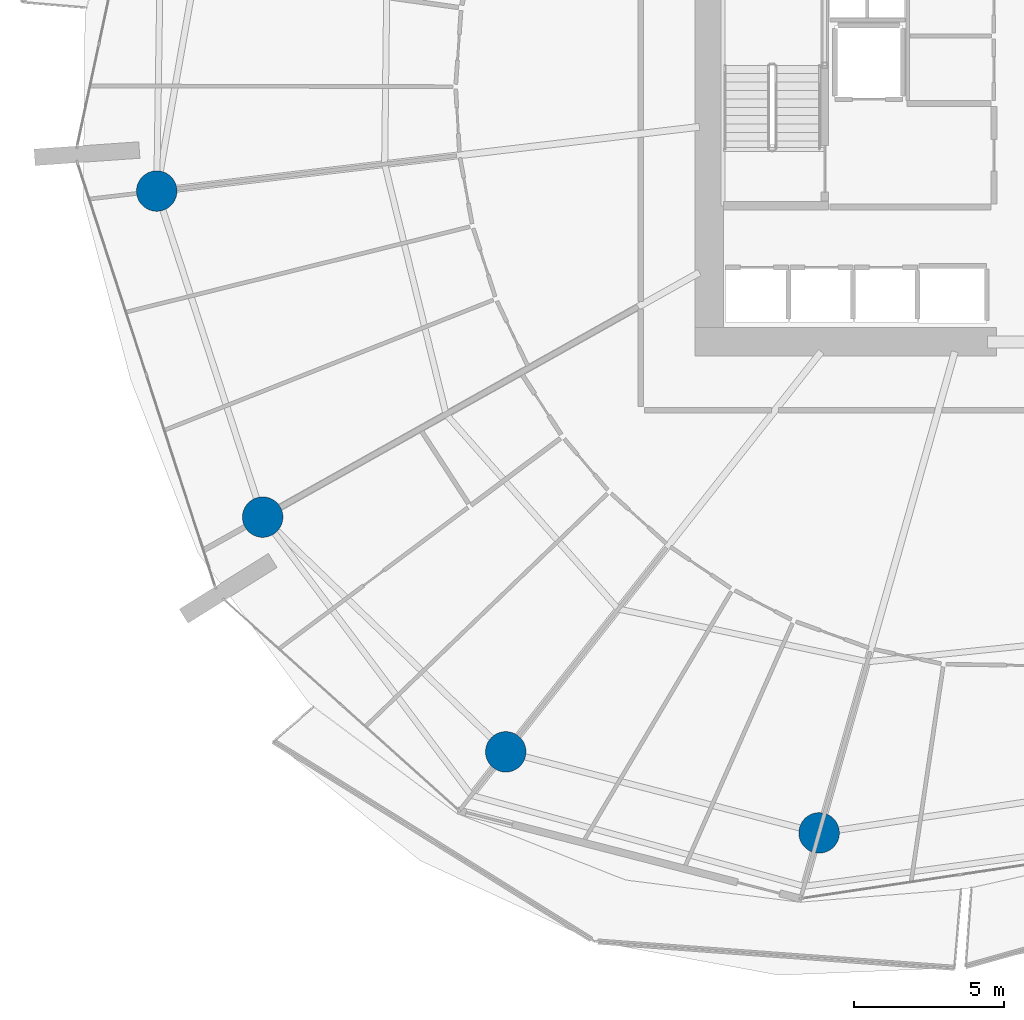
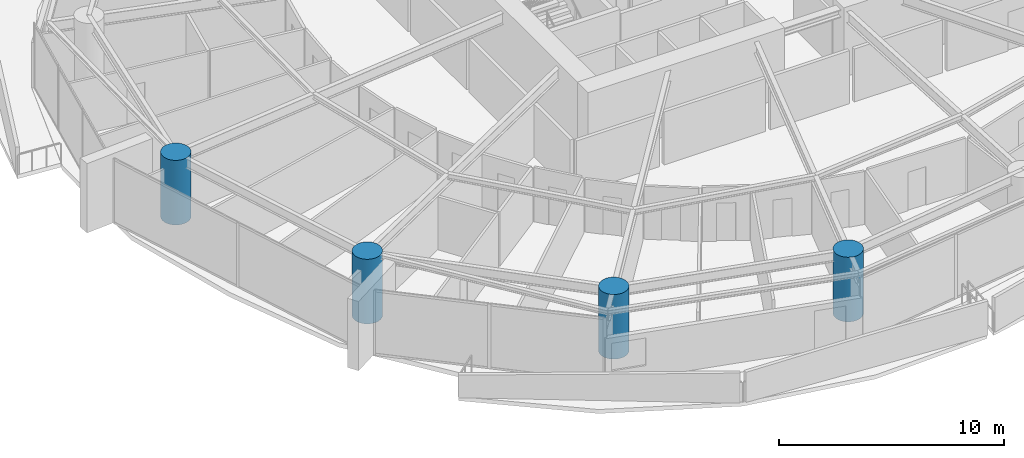
# One storey, part 1 of 31: 4 columns.
"""IFC4 building model written with IfcOpenShell, lengths in metres."""

from ifc_helpers import new_model, si_unit, direction, frame, origin, origin_2d, place, context, subcontext, project, spatial, circle, extrude, material, material_profile, profile_set, type_object, element, save


model = new_model("IFC4")

# Units and contexts
model_context = context("Model", 3, precision=1e-05, world=origin(), true_north=direction((0.0, 1.0)))
body_context = subcontext(model_context, "Body", "Model", "MODEL_VIEW")
ifc_project = project(units=[si_unit("LENGTHUNIT", "METRE"), si_unit("AREAUNIT", "SQUARE_METRE"), si_unit("VOLUMEUNIT", "CUBIC_METRE"), si_unit("PLANEANGLEUNIT", "RADIAN"), si_unit("MASSUNIT", "GRAM", prefix="KILO")], contexts=[model_context])

# Site, building, storey
site_placement = place(None, origin())
site = spatial("IfcSite", under=ifc_project, at=site_placement, CompositionType="ELEMENT")
building_placement = place(site_placement, origin())
building = spatial("IfcBuilding", under=site, at=building_placement, Name="Kazma Halo Residences", CompositionType="ELEMENT")
storey_placement = place(building_placement, frame((0.0, 0.0, 48.89990234375)))
storey = spatial("IfcBuildingStorey", under=building, at=storey_placement, Name="L11", CompositionType="ELEMENT", Elevation=48.89990234375)

# Columns
ifc_material = material(Name="Concrete C80/95", Category="concrete")
ifc_material_profile = material_profile(ifc_material, circle(Radius=0.675048828125, at=origin_2d()), Name="CIRC1350")
ifc_profile_set = profile_set([ifc_material_profile], Name="Concrete C80/95")
column_type = type_object("IfcColumnType", Name="COL-PERIM-1350", PredefinedType="COLUMN", material=ifc_profile_set)
for number, where, z_axis, x_axis, name in (
    (1, (18.902099609375, 38.555908203125, 0.0), (0.0, 0.0, 1.0), (1.0, 0.0, 0.0), "L11 perimeter ring column P08"),
    (2, (22.43505859375, 27.682861328125, 0.0), (0.0, 0.0, 1.0), (1.0, 0.0, 0.0), "L11 perimeter ring column P09"),
    (3, (30.541748046875, 19.854248046875, 0.0), (0.0, 0.0, 1.0), (1.0, 0.0, 0.0), "L11 perimeter ring column P10"),
    (4, (40.99169921875, 17.150634765625, 0.0), (0.0, 0.0, 1.0), (1.0, 0.0, 0.0), "L11 perimeter ring column P11"),
):
    element("IfcColumn", number, at=place(storey_placement, frame(where, z_axis=z_axis, x_axis=x_axis)), inside=storey, type_object=column_type, Name=name, PredefinedType="COLUMN", context=body_context, shape_type="SweptSolid", body=[
        extrude(circle(Radius=0.675048828125, at=origin_2d()), origin(), (0.0, 0.0, 1.0), 3.5),
    ])

save(model, "model.ifc")
